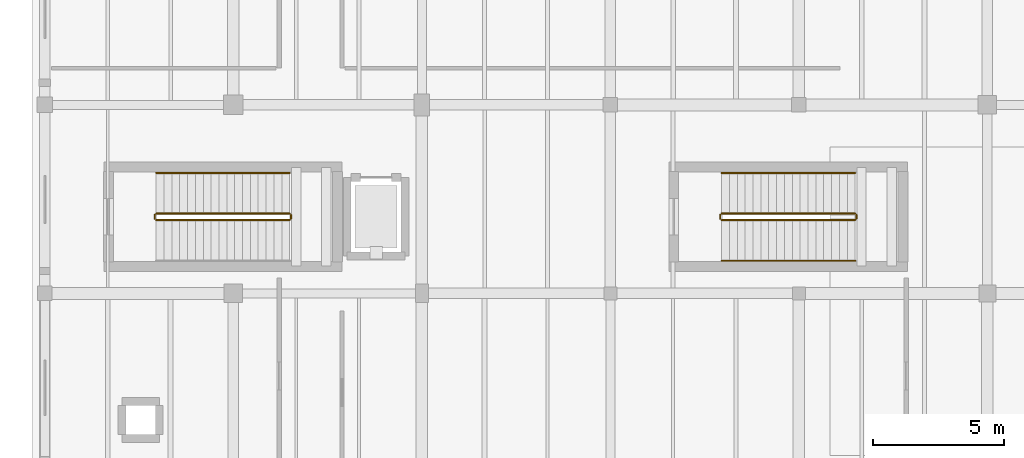
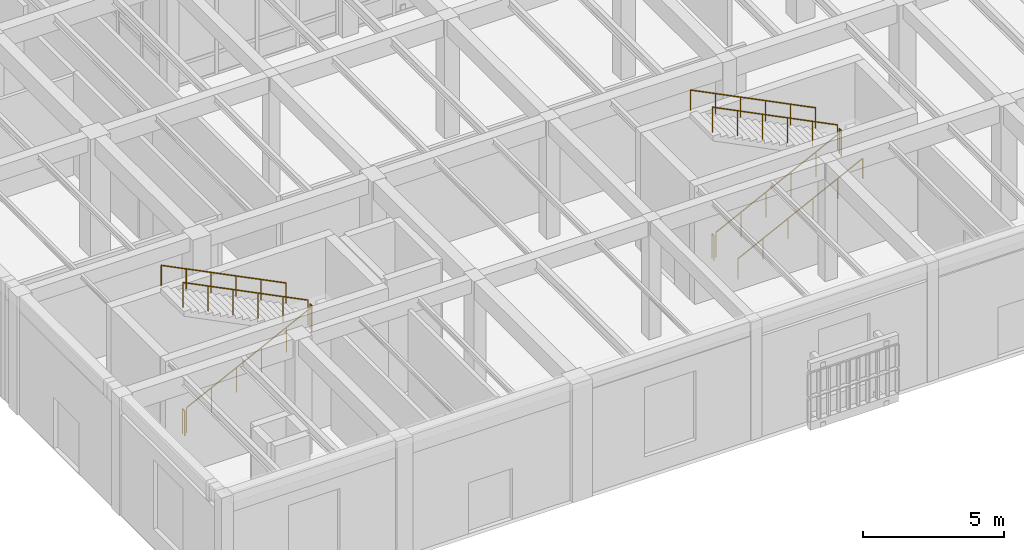
# One storey, part 143 of 169: 11 railings.
"""IFC4 building model written with IfcOpenShell, lengths in metres."""

from ifc_helpers import new_model, si_unit, direction, frame, origin, origin_2d, place, context, subcontext, project, spatial, circle, extrude, material, type_object, element, save


model = new_model("IFC4")

# Units and contexts
model_context = context("Model", 3, precision=1e-05, world=origin(), true_north=direction((0.0, 1.0)))
body_context = subcontext(model_context, "Body", "Model", "MODEL_VIEW")
ifc_project = project(units=[si_unit("LENGTHUNIT", "METRE"), si_unit("AREAUNIT", "SQUARE_METRE"), si_unit("VOLUMEUNIT", "CUBIC_METRE"), si_unit("PLANEANGLEUNIT", "RADIAN"), si_unit("MASSUNIT", "GRAM", prefix="KILO")], contexts=[model_context])

# Site, building, storey
site_placement = place(None, origin())
site = spatial("IfcSite", under=ifc_project, at=site_placement, CompositionType="ELEMENT")
building_placement = place(site_placement, origin())
building = spatial("IfcBuilding", under=site, at=building_placement, Name="Mazaris Harbour Polytechnic", CompositionType="ELEMENT")
storey_placement = place(building_placement, origin())
storey = spatial("IfcBuildingStorey", under=building, at=storey_placement, Name="L00", CompositionType="ELEMENT", Elevation=0.0)

# Railings
ifc_material_1 = material(Name="Stainless Steel S355", Category="steel")
railing_type_1 = type_object("IfcRailingType", Name="Stair Wall Handrail 900", PredefinedType="HANDRAIL", material=ifc_material_1)
railing_1_placement = place(storey_placement, frame((9.35009765625, 19.0, 2.85009765625)))
element("IfcRailing", 1, at=railing_1_placement, inside=storey, type_object=railing_type_1, Name="L00 ST07 stair handrail 2", PredefinedType="HANDRAIL", context=body_context, shape_type="SweptSolid", body=[
    extrude(circle(Radius=0.02392578125, at=origin_2d()), frame((0.0, 0.0, 0.8759765625), z_axis=(-0.89444431709, 0.0, 0.44717934168), x_axis=(0.0, -1.0, 0.0)), (0.0, 0.0, 1.0), 5.701904296875),
    extrude(circle(Radius=0.02099609375, at=origin_2d()), origin(), (0.0, 0.0, 1.0), 0.851806640625),
    extrude(circle(Radius=0.02099609375, at=origin_2d()), frame((-1.02001953125, 0.0, 0.510009765625)), (0.0, 0.0, 1.0), 0.851806640625),
    extrude(circle(Radius=0.02099609375, at=origin_2d()), frame((-2.0400390625, 0.0, 1.02001953125)), (0.0, 0.0, 1.0), 0.851806640625),
    extrude(circle(Radius=0.02099609375, at=origin_2d()), frame((-3.06005859375, 0.0, 1.52978515625)), (0.0, 0.0, 1.0), 0.851806640625),
    extrude(circle(Radius=0.02099609375, at=origin_2d()), frame((-4.080078125, 0.0, 2.039794921875)), (0.0, 0.0, 1.0), 0.851806640625),
    extrude(circle(Radius=0.02099609375, at=origin_2d()), frame((-5.10009765625, 0.0, 2.5498046875)), (0.0, 0.0, 1.0), 0.851806640625),
])
railing_2_placement = place(storey_placement, frame((25.85009765625, 15.64990234375, 0.14990234375)))
element("IfcRailing", 2, at=railing_2_placement, inside=storey, type_object=railing_type_1, Name="L00 ST08 stair handrail 1", PredefinedType="HANDRAIL", context=body_context, shape_type="SweptSolid", body=[
    extrude(circle(Radius=0.02392578125, at=origin_2d()), frame((0.0, 0.0, 0.8759765625), z_axis=(0.894418627299, 0.0, 0.447230722492), x_axis=(0.0, 1.0, 0.0)), (0.0, 0.0, 1.0), 5.701904296875),
    extrude(circle(Radius=0.02099609375, at=origin_2d()), origin(), (0.0, 0.0, 1.0), 0.851806640625),
    extrude(circle(Radius=0.02099609375, at=origin_2d()), frame((1.02001953125, 0.0, 0.510009765625)), (0.0, 0.0, 1.0), 0.851806640625),
    extrude(circle(Radius=0.02099609375, at=origin_2d()), frame((2.0400390625, 0.0, 1.02001953125)), (0.0, 0.0, 1.0), 0.851806640625),
    extrude(circle(Radius=0.02099609375, at=origin_2d()), frame((3.059814453125, 0.0, 1.530029296875)), (0.0, 0.0, 1.0), 0.851806640625),
    extrude(circle(Radius=0.02099609375, at=origin_2d()), frame((4.079833984375, 0.0, 2.0400390625)), (0.0, 0.0, 1.0), 0.851806640625),
    extrude(circle(Radius=0.02099609375, at=origin_2d()), frame((5.099853515625, 0.0, 2.550048828125)), (0.0, 0.0, 1.0), 0.851806640625),
])
railing_3_placement = place(storey_placement, frame((30.949951171875, 19.0, 2.85009765625)))
element("IfcRailing", 3, at=railing_3_placement, inside=storey, type_object=railing_type_1, Name="L00 ST08 stair handrail 2", PredefinedType="HANDRAIL", context=body_context, shape_type="SweptSolid", body=[
    extrude(circle(Radius=0.02392578125, at=origin_2d()), frame((0.0, 0.0, 0.8759765625), z_axis=(-0.894435754537, 0.0, 0.447196468016), x_axis=(0.0, -1.0, 0.0)), (0.0, 0.0, 1.0), 5.70166015625),
    extrude(circle(Radius=0.02099609375, at=origin_2d()), origin(), (0.0, 0.0, 1.0), 0.851806640625),
    extrude(circle(Radius=0.02099609375, at=origin_2d()), frame((-1.02001953125, 0.0, 0.510009765625)), (0.0, 0.0, 1.0), 0.851806640625),
    extrude(circle(Radius=0.02099609375, at=origin_2d()), frame((-2.0400390625, 0.0, 1.02001953125)), (0.0, 0.0, 1.0), 0.851806640625),
    extrude(circle(Radius=0.02099609375, at=origin_2d()), frame((-3.059814453125, 0.0, 1.52978515625)), (0.0, 0.0, 1.0), 0.851806640625),
    extrude(circle(Radius=0.02099609375, at=origin_2d()), frame((-4.079833984375, 0.0, 2.039794921875)), (0.0, 0.0, 1.0), 0.851806640625),
    extrude(circle(Radius=0.02099609375, at=origin_2d()), frame((-5.099853515625, 0.0, 2.5498046875)), (0.0, 0.0, 1.0), 0.851806640625),
])
ifc_material_2 = material(Name="Steel S355", Category="steel")
railing_type_2 = type_object("IfcRailingType", Name="Stair Well Guardrail 1100", PredefinedType="GUARDRAIL", material=ifc_material_2)
railing_4_placement = place(storey_placement, frame((4.25, 17.199951171875, 0.14990234375)))
element("IfcRailing", 4, at=railing_4_placement, inside=storey, type_object=railing_type_2, Name="L00 ST07 stair guard 1", PredefinedType="GUARDRAIL", context=body_context, shape_type="SweptSolid", body=[
    extrude(circle(Radius=0.02392578125, at=origin_2d()), frame((0.0, 0.0, 1.076171875), z_axis=(0.894427191, 0.0, 0.4472135955), x_axis=(0.0, 1.0, 0.0)), (0.0, 0.0, 1.0), 5.7021484375),
    extrude(circle(Radius=0.02099609375, at=origin_2d()), origin(), (0.0, 0.0, 1.0), 1.052001953125),
    extrude(circle(Radius=0.02099609375, at=origin_2d()), frame((1.02001953125, 0.0, 0.510009765625)), (0.0, 0.0, 1.0), 1.052001953125),
    extrude(circle(Radius=0.02099609375, at=origin_2d()), frame((2.0400390625, 0.0, 1.02001953125)), (0.0, 0.0, 1.0), 1.052001953125),
    extrude(circle(Radius=0.02099609375, at=origin_2d()), frame((3.06005859375, 0.0, 1.530029296875)), (0.0, 0.0, 1.0), 1.052001953125),
    extrude(circle(Radius=0.02099609375, at=origin_2d()), frame((4.080078125, 0.0, 2.0400390625)), (0.0, 0.0, 1.0), 1.052001953125),
    extrude(circle(Radius=0.02099609375, at=origin_2d()), frame((5.10009765625, 0.0, 2.550048828125)), (0.0, 0.0, 1.0), 1.052001953125),
])
railing_5_placement = place(storey_placement, frame((9.39990234375, 17.25, 2.699951171875)))
element("IfcRailing", 5, at=railing_5_placement, inside=storey, type_object=railing_type_2, Name="L00 ST07 stair guard 2", PredefinedType="GUARDRAIL", context=body_context, shape_type="SweptSolid", body=[
    extrude(circle(Radius=0.02392578125, at=origin_2d()), frame((0.0, 0.0, 1.076171875), z_axis=(0.0, 1.0, 0.0), x_axis=(-1.0, 0.0, 0.0)), (0.0, 0.0, 1.0), 0.14990234375),
    extrude(circle(Radius=0.02099609375, at=origin_2d()), origin(), (0.0, 0.0, 1.0), 1.052001953125),
    extrude(circle(Radius=0.02099609375, at=origin_2d()), frame((0.0, 0.14990234375, 0.0)), (0.0, 0.0, 1.0), 1.052001953125),
])
railing_6_placement = place(storey_placement, frame((9.35009765625, 17.449951171875, 2.85009765625)))
element("IfcRailing", 6, at=railing_6_placement, inside=storey, type_object=railing_type_2, Name="L00 ST07 stair guard 3", PredefinedType="GUARDRAIL", context=body_context, shape_type="SweptSolid", body=[
    extrude(circle(Radius=0.02392578125, at=origin_2d()), frame((0.0, 0.0, 1.076171875), z_axis=(-0.89444431709, 0.0, 0.44717934168), x_axis=(0.0, -1.0, 0.0)), (0.0, 0.0, 1.0), 5.701904296875),
    extrude(circle(Radius=0.02099609375, at=origin_2d()), origin(), (0.0, 0.0, 1.0), 1.052001953125),
    extrude(circle(Radius=0.02099609375, at=origin_2d()), frame((-1.02001953125, 0.0, 0.510009765625)), (0.0, 0.0, 1.0), 1.052001953125),
    extrude(circle(Radius=0.02099609375, at=origin_2d()), frame((-2.0400390625, 0.0, 1.02001953125)), (0.0, 0.0, 1.0), 1.052001953125),
    extrude(circle(Radius=0.02099609375, at=origin_2d()), frame((-3.06005859375, 0.0, 1.52978515625)), (0.0, 0.0, 1.0), 1.052001953125),
    extrude(circle(Radius=0.02099609375, at=origin_2d()), frame((-4.080078125, 0.0, 2.039794921875)), (0.0, 0.0, 1.0), 1.052001953125),
    extrude(circle(Radius=0.02099609375, at=origin_2d()), frame((-5.10009765625, 0.0, 2.5498046875)), (0.0, 0.0, 1.0), 1.052001953125),
])
railing_7_placement = place(storey_placement, frame((4.199951171875, 17.25, 0.0)))
element("IfcRailing", 7, at=railing_7_placement, inside=storey, type_object=railing_type_2, Name="L00 ST07 stair guard 4", PredefinedType="GUARDRAIL", context=body_context, shape_type="SweptSolid", body=[
    extrude(circle(Radius=0.02392578125, at=origin_2d()), frame((0.0, 0.0, 1.076171875), z_axis=(0.0, 1.0, 0.0), x_axis=(-1.0, 0.0, 0.0)), (0.0, 0.0, 1.0), 0.14990234375),
    extrude(circle(Radius=0.02099609375, at=origin_2d()), origin(), (0.0, 0.0, 1.0), 1.052001953125),
    extrude(circle(Radius=0.02099609375, at=origin_2d()), frame((0.0, 0.14990234375, 0.0)), (0.0, 0.0, 1.0), 1.052001953125),
])
railing_8_placement = place(storey_placement, frame((25.85009765625, 17.199951171875, 0.14990234375)))
element("IfcRailing", 8, at=railing_8_placement, inside=storey, type_object=railing_type_2, Name="L00 ST08 stair guard 1", PredefinedType="GUARDRAIL", context=body_context, shape_type="SweptSolid", body=[
    extrude(circle(Radius=0.02392578125, at=origin_2d()), frame((0.0, 0.0, 1.076171875), z_axis=(0.894418627299, 0.0, 0.447230722492), x_axis=(0.0, 1.0, 0.0)), (0.0, 0.0, 1.0), 5.701904296875),
    extrude(circle(Radius=0.02099609375, at=origin_2d()), origin(), (0.0, 0.0, 1.0), 1.052001953125),
    extrude(circle(Radius=0.02099609375, at=origin_2d()), frame((1.02001953125, 0.0, 0.510009765625)), (0.0, 0.0, 1.0), 1.052001953125),
    extrude(circle(Radius=0.02099609375, at=origin_2d()), frame((2.0400390625, 0.0, 1.02001953125)), (0.0, 0.0, 1.0), 1.052001953125),
    extrude(circle(Radius=0.02099609375, at=origin_2d()), frame((3.059814453125, 0.0, 1.530029296875)), (0.0, 0.0, 1.0), 1.052001953125),
    extrude(circle(Radius=0.02099609375, at=origin_2d()), frame((4.079833984375, 0.0, 2.0400390625)), (0.0, 0.0, 1.0), 1.052001953125),
    extrude(circle(Radius=0.02099609375, at=origin_2d()), frame((5.099853515625, 0.0, 2.550048828125)), (0.0, 0.0, 1.0), 1.052001953125),
])
railing_9_placement = place(storey_placement, frame((31.0, 17.25, 2.699951171875)))
element("IfcRailing", 9, at=railing_9_placement, inside=storey, type_object=railing_type_2, Name="L00 ST08 stair guard 2", PredefinedType="GUARDRAIL", context=body_context, shape_type="SweptSolid", body=[
    extrude(circle(Radius=0.02392578125, at=origin_2d()), frame((0.0, 0.0, 1.076171875), z_axis=(0.0, 1.0, 0.0), x_axis=(-1.0, 0.0, 0.0)), (0.0, 0.0, 1.0), 0.14990234375),
    extrude(circle(Radius=0.02099609375, at=origin_2d()), origin(), (0.0, 0.0, 1.0), 1.052001953125),
    extrude(circle(Radius=0.02099609375, at=origin_2d()), frame((0.0, 0.14990234375, 0.0)), (0.0, 0.0, 1.0), 1.052001953125),
])
railing_10_placement = place(storey_placement, frame((30.949951171875, 17.449951171875, 2.85009765625)))
element("IfcRailing", 10, at=railing_10_placement, inside=storey, type_object=railing_type_2, Name="L00 ST08 stair guard 3", PredefinedType="GUARDRAIL", context=body_context, shape_type="SweptSolid", body=[
    extrude(circle(Radius=0.02392578125, at=origin_2d()), frame((0.0, 0.0, 1.076171875), z_axis=(-0.894435754537, 0.0, 0.447196468016), x_axis=(0.0, -1.0, 0.0)), (0.0, 0.0, 1.0), 5.70166015625),
    extrude(circle(Radius=0.02099609375, at=origin_2d()), origin(), (0.0, 0.0, 1.0), 1.052001953125),
    extrude(circle(Radius=0.02099609375, at=origin_2d()), frame((-1.02001953125, 0.0, 0.510009765625)), (0.0, 0.0, 1.0), 1.052001953125),
    extrude(circle(Radius=0.02099609375, at=origin_2d()), frame((-2.0400390625, 0.0, 1.02001953125)), (0.0, 0.0, 1.0), 1.052001953125),
    extrude(circle(Radius=0.02099609375, at=origin_2d()), frame((-3.059814453125, 0.0, 1.52978515625)), (0.0, 0.0, 1.0), 1.052001953125),
    extrude(circle(Radius=0.02099609375, at=origin_2d()), frame((-4.079833984375, 0.0, 2.039794921875)), (0.0, 0.0, 1.0), 1.052001953125),
    extrude(circle(Radius=0.02099609375, at=origin_2d()), frame((-5.099853515625, 0.0, 2.5498046875)), (0.0, 0.0, 1.0), 1.052001953125),
])
railing_11_placement = place(storey_placement, frame((25.800048828125, 17.25, 0.0)))
element("IfcRailing", 11, at=railing_11_placement, inside=storey, type_object=railing_type_2, Name="L00 ST08 stair guard 4", PredefinedType="GUARDRAIL", context=body_context, shape_type="SweptSolid", body=[
    extrude(circle(Radius=0.02392578125, at=origin_2d()), frame((0.0, 0.0, 1.076171875), z_axis=(0.0, 1.0, 0.0), x_axis=(-1.0, 0.0, 0.0)), (0.0, 0.0, 1.0), 0.14990234375),
    extrude(circle(Radius=0.02099609375, at=origin_2d()), origin(), (0.0, 0.0, 1.0), 1.052001953125),
    extrude(circle(Radius=0.02099609375, at=origin_2d()), frame((0.0, 0.14990234375, 0.0)), (0.0, 0.0, 1.0), 1.052001953125),
])

save(model, "model.ifc")
